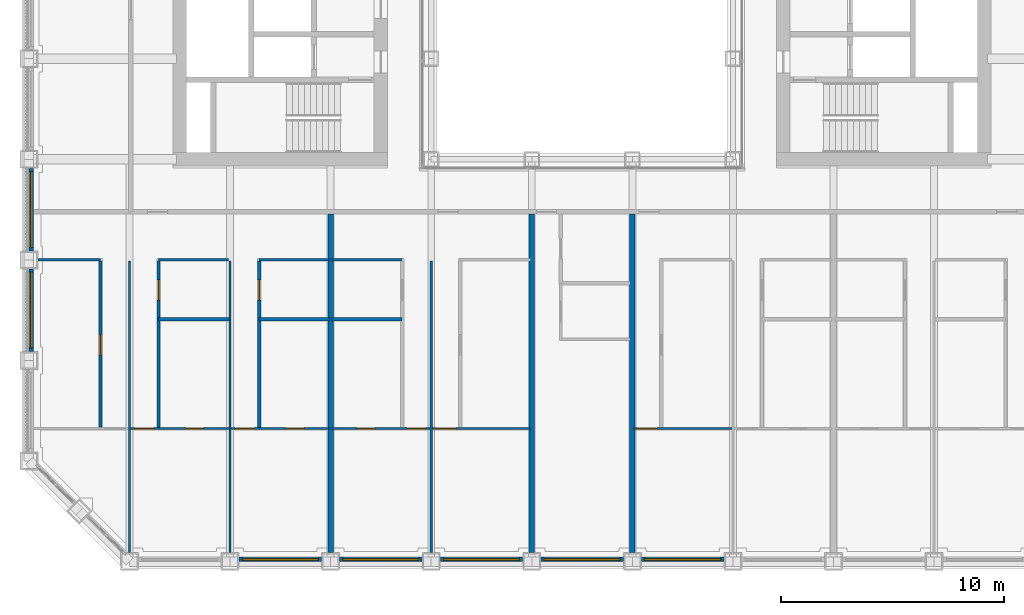
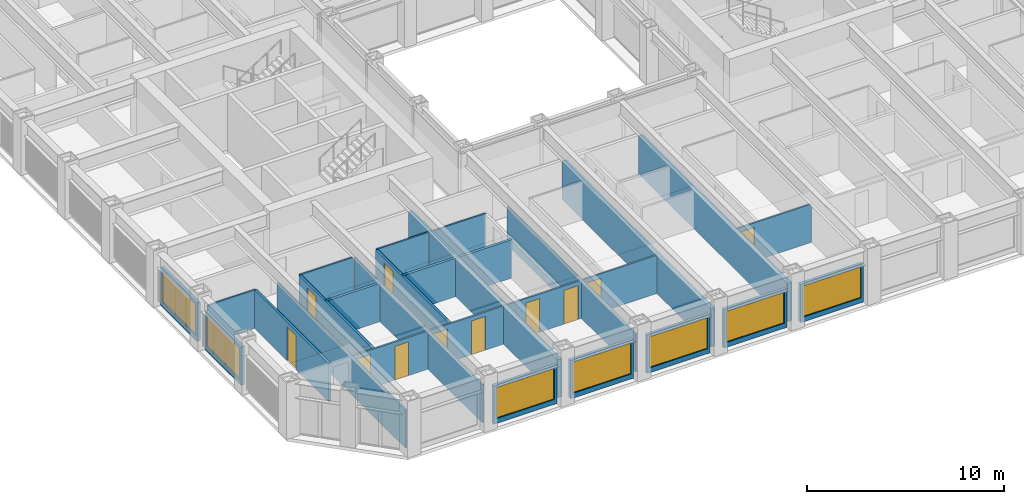
# One storey, part 9 of 20: 28 walls, 11 doors, 7 windows, 18 openings.
"""IFC4 building model written with IfcOpenShell, lengths in metres."""

from ifc_helpers import new_model, si_unit, direction, frame, frame_2d, origin, place, context, subcontext, project, spatial, rectangle, extrude, material, layer, layer_set, type_object, element, fill, save


model = new_model("IFC4")

# Units and contexts
model_context = context("Model", 3, precision=1e-05, world=origin(), true_north=direction((0.0, 1.0)))
body_context = subcontext(model_context, "Body", "Model", "MODEL_VIEW")
ifc_project = project(units=[si_unit("LENGTHUNIT", "METRE"), si_unit("AREAUNIT", "SQUARE_METRE"), si_unit("VOLUMEUNIT", "CUBIC_METRE"), si_unit("PLANEANGLEUNIT", "RADIAN"), si_unit("MASSUNIT", "GRAM", prefix="KILO")], contexts=[model_context])

# Site, building, storey
site_placement = place(None, origin())
site = spatial("IfcSite", under=ifc_project, at=site_placement, CompositionType="ELEMENT")
building_placement = place(site_placement, origin())
building = spatial("IfcBuilding", under=site, at=building_placement, Name="Msasa Ring Tower", CompositionType="ELEMENT")
storey_placement = place(building_placement, frame((0.0, 0.0, 61.5)))
storey = spatial("IfcBuildingStorey", under=building, at=storey_placement, Name="L15", CompositionType="ELEMENT", Elevation=61.5)

# Wall, opening, window
ifc_material_1 = material(Name="Terracotta rainscreen on blockwork", Category="masonry")
ifc_layer_1 = layer(ifc_material_1, 0.199951171875)
ifc_layer_set_1 = layer_set([ifc_layer_1], Name="FW1 TERRACOTTA-LINED INFILL BAY WALL 200")
wall_type_1 = type_object("IfcWallType", Name="FW1 TERRACOTTA-LINED INFILL BAY WALL 200", PredefinedType="SOLIDWALL", material=ifc_layer_set_1)
wall_1_placement = place(storey_placement, frame((-15.344970703125, -24.64990234375, 0.0), z_axis=(0.0, 0.0, 1.0), x_axis=(1.0, 0.0, 0.0)))
wall_1 = element("IfcWall", 1, at=wall_1_placement, inside=storey, type_object=wall_type_1, Name="Infill bay wall S L15 01", PredefinedType="SOLIDWALL", context=body_context, shape_type="SweptSolid", body=[
    extrude(rectangle(XDim=3.68994140625, YDim=0.199951171875, at=frame_2d((1.844970703125, 0.0))), origin(), (0.0, 0.0, 1.0), 2.37890625),
])
opening_1_placement = place(wall_1_placement, frame((0.14501953125, 0.0, 0.300048828125)))
opening_1 = element("IfcOpeningElement", 2, at=opening_1_placement, cuts=wall_1, Name="Opening WN1", PredefinedType="OPENING", context=body_context, shape_type="SweptSolid", body=[
    extrude(rectangle(XDim=3.39990234375, YDim=1.928955078125, at=frame_2d((1.699951171875, 0.96435546875))), frame((0.0, 0.10986328125, 0.0), z_axis=(0.0, -1.0, 0.0), x_axis=(1.0, 0.0, 0.0)), (0.0, 0.0, 1.0), 0.219970703125),
])
ifc_material_2 = material(Name="Aluminium frame with clear glass", Category="aluminium")
window_type = type_object("IfcWindowType", Name="WN1 RESIDENCE WINDOW 3400x1929", PartitioningType="SINGLE_PANEL", PredefinedType="WINDOW", material=ifc_material_2)
window_1_placement = place(opening_1_placement, origin())
window_1 = element("IfcWindow", 3, at=window_1_placement, inside=storey, type_object=window_type, Name="Window S L15 01", OverallHeight=1.928955078125, OverallWidth=3.39990234375, PartitioningType="SINGLE_PANEL", PredefinedType="WINDOW", context=body_context, shape_type="SweptSolid", body=[
    extrude(rectangle(XDim=3.39990234375, YDim=1.928955078125, at=frame_2d((1.699951171875, 0.96435546875))), frame((0.0, 0.030029296875, 0.0), z_axis=(0.0, -1.0, 0.0), x_axis=(1.0, 0.0, 0.0)), (0.0, 0.0, 1.0), 0.06005859375),
])
fill(opening_1, window_1)

wall_2_placement = place(storey_placement, frame((-10.844970703125, -24.64990234375, 0.0), z_axis=(0.0, 0.0, 1.0), x_axis=(1.0, 0.0, 0.0)))
wall_2 = element("IfcWall", 4, at=wall_2_placement, inside=storey, type_object=wall_type_1, Name="Infill bay wall S L15 02", PredefinedType="SOLIDWALL", context=body_context, shape_type="SweptSolid", body=[
    extrude(rectangle(XDim=3.68994140625, YDim=0.199951171875, at=frame_2d((1.844970703125, 0.0))), origin(), (0.0, 0.0, 1.0), 2.37890625),
])
opening_2_placement = place(wall_2_placement, frame((0.14501953125, 0.0, 0.300048828125)))
opening_2 = element("IfcOpeningElement", 5, at=opening_2_placement, cuts=wall_2, Name="Opening WN1", PredefinedType="OPENING", context=body_context, shape_type="SweptSolid", body=[
    extrude(rectangle(XDim=3.39990234375, YDim=1.928955078125, at=frame_2d((1.699951171875, 0.96435546875))), frame((0.0, 0.10986328125, 0.0), z_axis=(0.0, -1.0, 0.0), x_axis=(1.0, 0.0, 0.0)), (0.0, 0.0, 1.0), 0.219970703125),
])
window_2_placement = place(opening_2_placement, origin())
window_2 = element("IfcWindow", 6, at=window_2_placement, inside=storey, type_object=window_type, Name="Window S L15 02", OverallHeight=1.928955078125, OverallWidth=3.39990234375, PartitioningType="SINGLE_PANEL", PredefinedType="WINDOW", context=body_context, shape_type="SweptSolid", body=[
    extrude(rectangle(XDim=3.39990234375, YDim=1.928955078125, at=frame_2d((1.699951171875, 0.96435546875))), frame((0.0, 0.030029296875, 0.0), z_axis=(0.0, -1.0, 0.0), x_axis=(1.0, 0.0, 0.0)), (0.0, 0.0, 1.0), 0.06005859375),
])
fill(opening_2, window_2)

wall_3_placement = place(storey_placement, frame((-6.344970703125, -24.64990234375, 0.0), z_axis=(0.0, 0.0, 1.0), x_axis=(1.0, 0.0, 0.0)))
wall_3 = element("IfcWall", 7, at=wall_3_placement, inside=storey, type_object=wall_type_1, Name="Infill bay wall S L15 03", PredefinedType="SOLIDWALL", context=body_context, shape_type="SweptSolid", body=[
    extrude(rectangle(XDim=3.68994140625, YDim=0.199951171875, at=frame_2d((1.844970703125, 0.0))), origin(), (0.0, 0.0, 1.0), 2.37890625),
])
opening_3_placement = place(wall_3_placement, frame((0.14501953125, 0.0, 0.300048828125)))
opening_3 = element("IfcOpeningElement", 8, at=opening_3_placement, cuts=wall_3, Name="Opening WN1", PredefinedType="OPENING", context=body_context, shape_type="SweptSolid", body=[
    extrude(rectangle(XDim=3.39990234375, YDim=1.928955078125, at=frame_2d((1.699951171875, 0.96435546875))), frame((0.0, 0.10986328125, 0.0), z_axis=(0.0, -1.0, 0.0), x_axis=(1.0, 0.0, 0.0)), (0.0, 0.0, 1.0), 0.219970703125),
])
window_3_placement = place(opening_3_placement, origin())
window_3 = element("IfcWindow", 9, at=window_3_placement, inside=storey, type_object=window_type, Name="Window S L15 03", OverallHeight=1.928955078125, OverallWidth=3.39990234375, PartitioningType="SINGLE_PANEL", PredefinedType="WINDOW", context=body_context, shape_type="SweptSolid", body=[
    extrude(rectangle(XDim=3.39990234375, YDim=1.928955078125, at=frame_2d((1.699951171875, 0.96435546875))), frame((0.0, 0.030029296875, 0.0), z_axis=(0.0, -1.0, 0.0), x_axis=(1.0, 0.0, 0.0)), (0.0, 0.0, 1.0), 0.06005859375),
])
fill(opening_3, window_3)

wall_4_placement = place(storey_placement, frame((-1.844970703125, -24.64990234375, 0.0), z_axis=(0.0, 0.0, 1.0), x_axis=(1.0, 0.0, 0.0)))
wall_4 = element("IfcWall", 10, at=wall_4_placement, inside=storey, type_object=wall_type_1, Name="Infill bay wall S L15 04", PredefinedType="SOLIDWALL", context=body_context, shape_type="SweptSolid", body=[
    extrude(rectangle(XDim=3.68994140625, YDim=0.199951171875, at=frame_2d((1.844970703125, 0.0))), origin(), (0.0, 0.0, 1.0), 2.37890625),
])
opening_4_placement = place(wall_4_placement, frame((0.14501953125, 0.0, 0.300048828125)))
opening_4 = element("IfcOpeningElement", 11, at=opening_4_placement, cuts=wall_4, Name="Opening WN1", PredefinedType="OPENING", context=body_context, shape_type="SweptSolid", body=[
    extrude(rectangle(XDim=3.39990234375, YDim=1.928955078125, at=frame_2d((1.699951171875, 0.96435546875))), frame((0.0, 0.10986328125, 0.0), z_axis=(0.0, -1.0, 0.0), x_axis=(1.0, 0.0, 0.0)), (0.0, 0.0, 1.0), 0.219970703125),
])
window_4_placement = place(opening_4_placement, origin())
window_4 = element("IfcWindow", 12, at=window_4_placement, inside=storey, type_object=window_type, Name="Window S L15 04", OverallHeight=1.928955078125, OverallWidth=3.39990234375, PartitioningType="SINGLE_PANEL", PredefinedType="WINDOW", context=body_context, shape_type="SweptSolid", body=[
    extrude(rectangle(XDim=3.39990234375, YDim=1.928955078125, at=frame_2d((1.699951171875, 0.96435546875))), frame((0.0, 0.030029296875, 0.0), z_axis=(0.0, -1.0, 0.0), x_axis=(1.0, 0.0, 0.0)), (0.0, 0.0, 1.0), 0.06005859375),
])
fill(opening_4, window_4)

wall_5_placement = place(storey_placement, frame((2.655029296875, -24.64990234375, 0.0), z_axis=(0.0, 0.0, 1.0), x_axis=(1.0, 0.0, 0.0)))
wall_5 = element("IfcWall", 13, at=wall_5_placement, inside=storey, type_object=wall_type_1, Name="Infill bay wall S L15 05", PredefinedType="SOLIDWALL", context=body_context, shape_type="SweptSolid", body=[
    extrude(rectangle(XDim=3.68994140625, YDim=0.199951171875, at=frame_2d((1.844970703125, 0.0))), origin(), (0.0, 0.0, 1.0), 2.37890625),
])
opening_5_placement = place(wall_5_placement, frame((0.14501953125, 0.0, 0.300048828125)))
opening_5 = element("IfcOpeningElement", 14, at=opening_5_placement, cuts=wall_5, Name="Opening WN1", PredefinedType="OPENING", context=body_context, shape_type="SweptSolid", body=[
    extrude(rectangle(XDim=3.39990234375, YDim=1.928955078125, at=frame_2d((1.699951171875, 0.96435546875))), frame((0.0, 0.10986328125, 0.0), z_axis=(0.0, -1.0, 0.0), x_axis=(1.0, 0.0, 0.0)), (0.0, 0.0, 1.0), 0.219970703125),
])
window_5_placement = place(opening_5_placement, origin())
window_5 = element("IfcWindow", 15, at=window_5_placement, inside=storey, type_object=window_type, Name="Window S L15 05", OverallHeight=1.928955078125, OverallWidth=3.39990234375, PartitioningType="SINGLE_PANEL", PredefinedType="WINDOW", context=body_context, shape_type="SweptSolid", body=[
    extrude(rectangle(XDim=3.39990234375, YDim=1.928955078125, at=frame_2d((1.699951171875, 0.96435546875))), frame((0.0, 0.030029296875, 0.0), z_axis=(0.0, -1.0, 0.0), x_axis=(1.0, 0.0, 0.0)), (0.0, 0.0, 1.0), 0.06005859375),
])
fill(opening_5, window_5)

wall_6_placement = place(storey_placement, frame((-24.64990234375, -15.344970703125, 0.0), z_axis=(0.0, 0.0, 1.0), x_axis=(0.0, 1.0, 0.0)))
wall_6 = element("IfcWall", 16, at=wall_6_placement, inside=storey, type_object=wall_type_1, Name="Infill bay wall W L15 34", PredefinedType="SOLIDWALL", context=body_context, shape_type="SweptSolid", body=[
    extrude(rectangle(XDim=3.68994140625, YDim=0.199951171875, at=frame_2d((1.844970703125, 0.0))), origin(), (0.0, 0.0, 1.0), 2.37890625),
])
opening_6_placement = place(wall_6_placement, frame((0.14501953125, 0.0, 0.300048828125)))
opening_6 = element("IfcOpeningElement", 17, at=opening_6_placement, cuts=wall_6, Name="Opening WN1", PredefinedType="OPENING", context=body_context, shape_type="SweptSolid", body=[
    extrude(rectangle(XDim=3.39990234375, YDim=1.928955078125, at=frame_2d((1.699951171875, 0.96435546875))), frame((0.0, 0.10986328125, 0.0), z_axis=(0.0, -1.0, 0.0), x_axis=(1.0, 0.0, 0.0)), (0.0, 0.0, 1.0), 0.219970703125),
])
window_6_placement = place(opening_6_placement, origin())
window_6 = element("IfcWindow", 18, at=window_6_placement, inside=storey, type_object=window_type, Name="Window W L15 34", OverallHeight=1.928955078125, OverallWidth=3.39990234375, PartitioningType="SINGLE_PANEL", PredefinedType="WINDOW", context=body_context, shape_type="SweptSolid", body=[
    extrude(rectangle(XDim=3.39990234375, YDim=1.928955078125, at=frame_2d((1.699951171875, 0.96435546875))), frame((0.0, 0.030029296875, 0.0), z_axis=(0.0, -1.0, 0.0), x_axis=(1.0, 0.0, 0.0)), (0.0, 0.0, 1.0), 0.06005859375),
])
fill(opening_6, window_6)

wall_7_placement = place(storey_placement, frame((-24.64990234375, -10.844970703125, 0.0), z_axis=(0.0, 0.0, 1.0), x_axis=(0.0, 1.0, 0.0)))
wall_7 = element("IfcWall", 19, at=wall_7_placement, inside=storey, type_object=wall_type_1, Name="Infill bay wall W L15 35", PredefinedType="SOLIDWALL", context=body_context, shape_type="SweptSolid", body=[
    extrude(rectangle(XDim=3.68994140625, YDim=0.199951171875, at=frame_2d((1.844970703125, 0.0))), origin(), (0.0, 0.0, 1.0), 2.37890625),
])
opening_7_placement = place(wall_7_placement, frame((0.14501953125, 0.0, 0.300048828125)))
opening_7 = element("IfcOpeningElement", 20, at=opening_7_placement, cuts=wall_7, Name="Opening WN1", PredefinedType="OPENING", context=body_context, shape_type="SweptSolid", body=[
    extrude(rectangle(XDim=3.39990234375, YDim=1.928955078125, at=frame_2d((1.699951171875, 0.96435546875))), frame((0.0, 0.10986328125, 0.0), z_axis=(0.0, -1.0, 0.0), x_axis=(1.0, 0.0, 0.0)), (0.0, 0.0, 1.0), 0.219970703125),
])
window_7_placement = place(opening_7_placement, origin())
window_7 = element("IfcWindow", 21, at=window_7_placement, inside=storey, type_object=window_type, Name="Window W L15 35", OverallHeight=1.928955078125, OverallWidth=3.39990234375, PartitioningType="SINGLE_PANEL", PredefinedType="WINDOW", context=body_context, shape_type="SweptSolid", body=[
    extrude(rectangle(XDim=3.39990234375, YDim=1.928955078125, at=frame_2d((1.699951171875, 0.96435546875))), frame((0.0, 0.030029296875, 0.0), z_axis=(0.0, -1.0, 0.0), x_axis=(1.0, 0.0, 0.0)), (0.0, 0.0, 1.0), 0.06005859375),
])
fill(opening_7, window_7)

# Walls
ifc_material_3 = material(Name="Gypsum board on steel studs", Category="steel")
ifc_layer_2 = layer(ifc_material_3, 0.10009765625)
ifc_layer_set_2 = layer_set([ifc_layer_2], Name="PT2 STUD PARTITION 100")
wall_type_2 = type_object("IfcWallType", Name="PT2 STUD PARTITION 100", PredefinedType="PARTITIONING", material=ifc_layer_set_2)
wall_8_placement = place(storey_placement, frame((-24.35009765625, -11.25, 0.0), z_axis=(0.0, 0.0, 1.0), x_axis=(1.0, 0.0, 0.0)))
element("IfcWall", 22, at=wall_8_placement, inside=storey, type_object=wall_type_2, Name="Partition L15-US00HY0", PredefinedType="PARTITIONING", context=body_context, shape_type="SweptSolid", body=[
    extrude(rectangle(XDim=2.800048828125, YDim=0.10009765625, at=frame_2d((1.39990234375, 0.0))), origin(), (0.0, 0.0, 1.0), 2.373291015625),
])
wall_9_placement = place(storey_placement, frame((-20.25, -24.35009765625, 0.0), z_axis=(0.0, 0.0, 1.0), x_axis=(0.0, 1.0, 0.0)))
element("IfcWall", 23, at=wall_9_placement, inside=storey, type_object=wall_type_2, Name="Partition L15-US00P1", PredefinedType="PARTITIONING", context=body_context, shape_type="SweptSolid", body=[
    extrude(rectangle(XDim=13.050048828125, YDim=0.10009765625, at=frame_2d((6.52490234375, 0.0))), origin(), (0.0, 0.0, 1.0), 2.373291015625),
])
wall_10_placement = place(storey_placement, frame((-18.949951171875, -11.25, 0.0), z_axis=(0.0, 0.0, 1.0), x_axis=(1.0, 0.0, 0.0)))
element("IfcWall", 24, at=wall_10_placement, inside=storey, type_object=wall_type_2, Name="Partition L15-US00HY1", PredefinedType="PARTITIONING", context=body_context, shape_type="SweptSolid", body=[
    extrude(rectangle(XDim=3.139892578125, YDim=0.10009765625, at=frame_2d((1.56982421875, 0.0))), origin(), (0.0, 0.0, 1.0), 2.373291015625),
])

# Wall, openings, doors
wall_11_placement = place(storey_placement, frame((-20.199951171875, -18.800048828125, 0.0), z_axis=(0.0, 0.0, 1.0), x_axis=(1.0, 0.0, 0.0)))
wall_11 = element("IfcWall", 25, at=wall_11_placement, inside=storey, type_object=wall_type_2, Name="Partition L15-US00SY1", PredefinedType="PARTITIONING", context=body_context, shape_type="SweptSolid", body=[
    extrude(rectangle(XDim=4.39990234375, YDim=0.10009765625, at=frame_2d((2.199951171875, 0.0))), origin(), (0.0, 0.0, 1.0), 2.373291015625),
])
opening_8_placement = place(wall_11_placement, frame((0.175048828125, 0.0, 0.0)))
opening_8 = element("IfcOpeningElement", 26, at=opening_8_placement, cuts=wall_11, Name="Opening RD-065", PredefinedType="OPENING", context=body_context, shape_type="SweptSolid", body=[
    extrude(rectangle(XDim=0.85009765625, YDim=2.10009765625, at=frame_2d((0.425048828125, 1.050048828125))), frame((0.0, 0.06005859375, 0.0), z_axis=(0.0, -1.0, 0.0), x_axis=(1.0, 0.0, 0.0)), (0.0, 0.0, 1.0), 0.1201171875),
])
opening_9_placement = place(wall_11_placement, frame((2.4599609375, 0.0, 0.0)))
opening_9 = element("IfcOpeningElement", 27, at=opening_9_placement, cuts=wall_11, Name="Opening RD-066", PredefinedType="OPENING", context=body_context, shape_type="SweptSolid", body=[
    extrude(rectangle(XDim=0.800048828125, YDim=2.10009765625, at=frame_2d((0.39990234375, 1.050048828125))), frame((0.0, 0.06005859375, 0.0), z_axis=(0.0, -1.0, 0.0), x_axis=(1.0, 0.0, 0.0)), (0.0, 0.0, 1.0), 0.1201171875),
])
ifc_material_4 = material(Name="Timber door leaf in a steel frame", Category="steel")
door_type_1 = type_object("IfcDoorType", Name="D14 BEDROOM DOOR 850x2100", OperationType="SINGLE_SWING_LEFT", PredefinedType="DOOR", material=ifc_material_4)
door_1_placement = place(opening_8_placement, origin())
door_1 = element("IfcDoor", 28, at=door_1_placement, inside=storey, type_object=door_type_1, Name="Door L15-US00R1", OperationType="SINGLE_SWING_LEFT", OverallHeight=2.10009765625, OverallWidth=0.85009765625, PredefinedType="DOOR", context=body_context, shape_type="SweptSolid", body=[
    extrude(rectangle(XDim=0.85009765625, YDim=2.10009765625, at=frame_2d((0.425048828125, 1.050048828125))), frame((0.0, 0.02490234375, 0.0), z_axis=(0.0, -1.0, 0.0), x_axis=(1.0, 0.0, 0.0)), (0.0, 0.0, 1.0), 0.050048828125),
])
fill(opening_8, door_1)
ifc_material_5 = material(Name="Timber door leaf in a steel frame", Category="steel")
door_type_2 = type_object("IfcDoorType", Name="D60 DRESSING ROOM DOOR 800x2100", OperationType="SINGLE_SWING_LEFT", PredefinedType="DOOR", material=ifc_material_5)
door_2_placement = place(opening_9_placement, origin())
door_2 = element("IfcDoor", 29, at=door_2_placement, inside=storey, type_object=door_type_2, Name="Door L15-US00W1", OperationType="SINGLE_SWING_RIGHT", OverallHeight=2.10009765625, OverallWidth=0.800048828125, PredefinedType="DOOR", context=body_context, shape_type="SweptSolid", body=[
    extrude(rectangle(XDim=0.800048828125, YDim=2.10009765625, at=frame_2d((0.39990234375, 1.050048828125))), frame((0.0, 0.02490234375, 0.0), z_axis=(0.0, -1.0, 0.0), x_axis=(1.0, 0.0, 0.0)), (0.0, 0.0, 1.0), 0.050048828125),
])
fill(opening_9, door_2)

# Walls
wall_12_placement = place(storey_placement, frame((-15.75, -24.35009765625, 0.0), z_axis=(0.0, 0.0, 1.0), x_axis=(0.0, 1.0, 0.0)))
element("IfcWall", 30, at=wall_12_placement, inside=storey, type_object=wall_type_2, Name="Partition L15-US00P2", PredefinedType="PARTITIONING", context=body_context, shape_type="SweptSolid", body=[
    extrude(rectangle(XDim=13.050048828125, YDim=0.10009765625, at=frame_2d((6.52490234375, 0.0))), origin(), (0.0, 0.0, 1.0), 2.373291015625),
])
wall_13_placement = place(storey_placement, frame((-14.449951171875, -11.25, 0.0), z_axis=(0.0, 0.0, 1.0), x_axis=(1.0, 0.0, 0.0)))
element("IfcWall", 31, at=wall_13_placement, inside=storey, type_object=wall_type_2, Name="Partition L15-US00HY2", PredefinedType="PARTITIONING", context=body_context, shape_type="SweptSolid", body=[
    extrude(rectangle(XDim=3.139892578125, YDim=0.10009765625, at=frame_2d((1.56982421875, 0.0))), origin(), (0.0, 0.0, 1.0), 2.373291015625),
])

# Wall, openings, doors
wall_14_placement = place(storey_placement, frame((-15.699951171875, -18.800048828125, 0.0), z_axis=(0.0, 0.0, 1.0), x_axis=(1.0, 0.0, 0.0)))
wall_14 = element("IfcWall", 32, at=wall_14_placement, inside=storey, type_object=wall_type_2, Name="Partition L15-US00SY2", PredefinedType="PARTITIONING", context=body_context, shape_type="SweptSolid", body=[
    extrude(rectangle(XDim=4.389892578125, YDim=0.10009765625, at=frame_2d((2.19482421875, 0.0))), origin(), (0.0, 0.0, 1.0), 2.373291015625),
])
opening_10_placement = place(wall_14_placement, frame((0.175048828125, 0.0, 0.0)))
opening_10 = element("IfcOpeningElement", 33, at=opening_10_placement, cuts=wall_14, Name="Opening RD-067", PredefinedType="OPENING", context=body_context, shape_type="SweptSolid", body=[
    extrude(rectangle(XDim=0.85009765625, YDim=2.10009765625, at=frame_2d((0.425048828125, 1.050048828125))), frame((0.0, 0.06005859375, 0.0), z_axis=(0.0, -1.0, 0.0), x_axis=(1.0, 0.0, 0.0)), (0.0, 0.0, 1.0), 0.1201171875),
])
opening_11_placement = place(wall_14_placement, frame((2.4599609375, 0.0, 0.0)))
opening_11 = element("IfcOpeningElement", 34, at=opening_11_placement, cuts=wall_14, Name="Opening RD-068", PredefinedType="OPENING", context=body_context, shape_type="SweptSolid", body=[
    extrude(rectangle(XDim=0.800048828125, YDim=2.10009765625, at=frame_2d((0.39990234375, 1.050048828125))), frame((0.0, 0.06005859375, 0.0), z_axis=(0.0, -1.0, 0.0), x_axis=(1.0, 0.0, 0.0)), (0.0, 0.0, 1.0), 0.1201171875),
])
door_3_placement = place(opening_10_placement, origin())
door_3 = element("IfcDoor", 35, at=door_3_placement, inside=storey, type_object=door_type_1, Name="Door L15-US00R2", OperationType="SINGLE_SWING_LEFT", OverallHeight=2.10009765625, OverallWidth=0.85009765625, PredefinedType="DOOR", context=body_context, shape_type="SweptSolid", body=[
    extrude(rectangle(XDim=0.85009765625, YDim=2.10009765625, at=frame_2d((0.425048828125, 1.050048828125))), frame((0.0, 0.02490234375, 0.0), z_axis=(0.0, -1.0, 0.0), x_axis=(1.0, 0.0, 0.0)), (0.0, 0.0, 1.0), 0.050048828125),
])
fill(opening_10, door_3)
door_4_placement = place(opening_11_placement, origin())
door_4 = element("IfcDoor", 36, at=door_4_placement, inside=storey, type_object=door_type_2, Name="Door L15-US00W2", OperationType="SINGLE_SWING_RIGHT", OverallHeight=2.10009765625, OverallWidth=0.800048828125, PredefinedType="DOOR", context=body_context, shape_type="SweptSolid", body=[
    extrude(rectangle(XDim=0.800048828125, YDim=2.10009765625, at=frame_2d((0.39990234375, 1.050048828125))), frame((0.0, 0.02490234375, 0.0), z_axis=(0.0, -1.0, 0.0), x_axis=(1.0, 0.0, 0.0)), (0.0, 0.0, 1.0), 0.050048828125),
])
fill(opening_11, door_4)

# Wall, opening, door
wall_15_placement = place(storey_placement, frame((-6.699951171875, -18.800048828125, 0.0), z_axis=(0.0, 0.0, 1.0), x_axis=(1.0, 0.0, 0.0)))
wall_15 = element("IfcWall", 37, at=wall_15_placement, inside=storey, type_object=wall_type_2, Name="Partition L15-US01SY0", PredefinedType="PARTITIONING", context=body_context, shape_type="SweptSolid", body=[
    extrude(rectangle(XDim=4.389892578125, YDim=0.10009765625, at=frame_2d((2.19482421875, 0.0))), origin(), (0.0, 0.0, 1.0), 2.373291015625),
])
opening_12_placement = place(wall_15_placement, frame((0.14990234375, 0.0, 0.0)))
opening_12 = element("IfcOpeningElement", 38, at=opening_12_placement, cuts=wall_15, Name="Opening RD-071", PredefinedType="OPENING", context=body_context, shape_type="SweptSolid", body=[
    extrude(rectangle(XDim=0.89990234375, YDim=2.10009765625, at=frame_2d((0.449951171875, 1.050048828125))), frame((0.0, 0.06005859375, 0.0), z_axis=(0.0, -1.0, 0.0), x_axis=(1.0, 0.0, 0.0)), (0.0, 0.0, 1.0), 0.1201171875),
])
ifc_material_6 = material(Name="Timber door leaf in a steel frame", Category="steel")
door_type_3 = type_object("IfcDoorType", Name="D22 INTERNAL HALL DOOR 900x2100", OperationType="SINGLE_SWING_LEFT", PredefinedType="DOOR", material=ifc_material_6)
door_5_placement = place(opening_12_placement, origin())
door_5 = element("IfcDoor", 39, at=door_5_placement, inside=storey, type_object=door_type_3, Name="Door L15-US01L", OperationType="SINGLE_SWING_LEFT", OverallHeight=2.10009765625, OverallWidth=0.89990234375, PredefinedType="DOOR", context=body_context, shape_type="SweptSolid", body=[
    extrude(rectangle(XDim=0.89990234375, YDim=2.10009765625, at=frame_2d((0.449951171875, 1.050048828125))), frame((0.0, 0.02490234375, 0.0), z_axis=(0.0, -1.0, 0.0), x_axis=(1.0, 0.0, 0.0)), (0.0, 0.0, 1.0), 0.050048828125),
])
fill(opening_12, door_5)

# Walls
wall_16_placement = place(storey_placement, frame((-6.75, -24.35009765625, 0.0), z_axis=(0.0, 0.0, 1.0), x_axis=(0.0, 1.0, 0.0)))
element("IfcWall", 40, at=wall_16_placement, inside=storey, type_object=wall_type_2, Name="Partition L15-US01P1", PredefinedType="PARTITIONING", context=body_context, shape_type="SweptSolid", body=[
    extrude(rectangle(XDim=13.050048828125, YDim=0.10009765625, at=frame_2d((6.52490234375, 0.0))), origin(), (0.0, 0.0, 1.0), 2.373291015625),
])
wall_17_placement = place(storey_placement, frame((-11.18994140625, -11.25, 0.0), z_axis=(0.0, 0.0, 1.0), x_axis=(1.0, 0.0, 0.0)))
element("IfcWall", 41, at=wall_17_placement, inside=storey, type_object=wall_type_2, Name="Partition L15-US01HY1", PredefinedType="PARTITIONING", context=body_context, shape_type="SweptSolid", body=[
    extrude(rectangle(XDim=3.139892578125, YDim=0.10009765625, at=frame_2d((1.56982421875, 0.0))), origin(), (0.0, 0.0, 1.0), 2.373291015625),
])

# Wall, openings, doors
wall_18_placement = place(storey_placement, frame((-11.18994140625, -18.800048828125, 0.0), z_axis=(0.0, 0.0, 1.0), x_axis=(1.0, 0.0, 0.0)))
wall_18 = element("IfcWall", 42, at=wall_18_placement, inside=storey, type_object=wall_type_2, Name="Partition L15-US01SY1", PredefinedType="PARTITIONING", context=body_context, shape_type="SweptSolid", body=[
    extrude(rectangle(XDim=4.389892578125, YDim=0.10009765625, at=frame_2d((2.19482421875, 0.0))), origin(), (0.0, 0.0, 1.0), 2.373291015625),
])
opening_13_placement = place(wall_18_placement, frame((3.364990234375, 0.0, 0.0)))
opening_13 = element("IfcOpeningElement", 43, at=opening_13_placement, cuts=wall_18, Name="Opening RD-070", PredefinedType="OPENING", context=body_context, shape_type="SweptSolid", body=[
    extrude(rectangle(XDim=0.85009765625, YDim=2.10009765625, at=frame_2d((0.425048828125, 1.050048828125))), frame((0.0, 0.06005859375, 0.0), z_axis=(0.0, -1.0, 0.0), x_axis=(1.0, 0.0, 0.0)), (0.0, 0.0, 1.0), 0.1201171875),
])
opening_14_placement = place(wall_18_placement, frame((1.1298828125, 0.0, 0.0)))
opening_14 = element("IfcOpeningElement", 44, at=opening_14_placement, cuts=wall_18, Name="Opening RD-069", PredefinedType="OPENING", context=body_context, shape_type="SweptSolid", body=[
    extrude(rectangle(XDim=0.800048828125, YDim=2.10009765625, at=frame_2d((0.39990234375, 1.050048828125))), frame((0.0, 0.06005859375, 0.0), z_axis=(0.0, -1.0, 0.0), x_axis=(1.0, 0.0, 0.0)), (0.0, 0.0, 1.0), 0.1201171875),
])
door_6_placement = place(opening_13_placement, origin())
door_6 = element("IfcDoor", 45, at=door_6_placement, inside=storey, type_object=door_type_1, Name="Door L15-US01R1", OperationType="SINGLE_SWING_RIGHT", OverallHeight=2.10009765625, OverallWidth=0.85009765625, PredefinedType="DOOR", context=body_context, shape_type="SweptSolid", body=[
    extrude(rectangle(XDim=0.85009765625, YDim=2.10009765625, at=frame_2d((0.425048828125, 1.050048828125))), frame((0.0, 0.02490234375, 0.0), z_axis=(0.0, -1.0, 0.0), x_axis=(1.0, 0.0, 0.0)), (0.0, 0.0, 1.0), 0.050048828125),
])
fill(opening_13, door_6)
door_7_placement = place(opening_14_placement, origin())
door_7 = element("IfcDoor", 46, at=door_7_placement, inside=storey, type_object=door_type_2, Name="Door L15-US01W1", OperationType="SINGLE_SWING_LEFT", OverallHeight=2.10009765625, OverallWidth=0.800048828125, PredefinedType="DOOR", context=body_context, shape_type="SweptSolid", body=[
    extrude(rectangle(XDim=0.800048828125, YDim=2.10009765625, at=frame_2d((0.39990234375, 1.050048828125))), frame((0.0, 0.02490234375, 0.0), z_axis=(0.0, -1.0, 0.0), x_axis=(1.0, 0.0, 0.0)), (0.0, 0.0, 1.0), 0.050048828125),
])
fill(opening_14, door_7)

# Wall, opening, door
wall_19_placement = place(storey_placement, frame((2.31005859375, -18.800048828125, 0.0), z_axis=(0.0, 0.0, 1.0), x_axis=(1.0, 0.0, 0.0)))
wall_19 = element("IfcWall", 47, at=wall_19_placement, inside=storey, type_object=wall_type_2, Name="Partition L15-US03SY0", PredefinedType="PARTITIONING", context=body_context, shape_type="SweptSolid", body=[
    extrude(rectangle(XDim=4.389892578125, YDim=0.10009765625, at=frame_2d((2.19482421875, 0.0))), origin(), (0.0, 0.0, 1.0), 2.373291015625),
])
opening_15_placement = place(wall_19_placement, frame((0.139892578125, 0.0, 0.0)))
opening_15 = element("IfcOpeningElement", 48, at=opening_15_placement, cuts=wall_19, Name="Opening RD-072", PredefinedType="OPENING", context=body_context, shape_type="SweptSolid", body=[
    extrude(rectangle(XDim=0.89990234375, YDim=2.10009765625, at=frame_2d((0.449951171875, 1.050048828125))), frame((0.0, 0.06005859375, 0.0), z_axis=(0.0, -1.0, 0.0), x_axis=(1.0, 0.0, 0.0)), (0.0, 0.0, 1.0), 0.1201171875),
])
door_8_placement = place(opening_15_placement, origin())
door_8 = element("IfcDoor", 49, at=door_8_placement, inside=storey, type_object=door_type_3, Name="Door L15-US03L", OperationType="SINGLE_SWING_LEFT", OverallHeight=2.10009765625, OverallWidth=0.89990234375, PredefinedType="DOOR", context=body_context, shape_type="SweptSolid", body=[
    extrude(rectangle(XDim=0.89990234375, YDim=2.10009765625, at=frame_2d((0.449951171875, 1.050048828125))), frame((0.0, 0.02490234375, 0.0), z_axis=(0.0, -1.0, 0.0), x_axis=(1.0, 0.0, 0.0)), (0.0, 0.0, 1.0), 0.050048828125),
])
fill(opening_15, door_8)

# Walls
ifc_material_7 = material(Name="Dense concrete blockwork, plastered both faces", Category="masonry")
ifc_layer_3 = layer(ifc_material_7, 0.25)
ifc_layer_set_3 = layer_set([ifc_layer_3], Name="PT3 APARTMENT SEPARATING WALL 250")
wall_type_3 = type_object("IfcWallType", Name="PT3 APARTMENT SEPARATING WALL 250", PredefinedType="PARTITIONING", material=ifc_layer_set_3)
for number, where, z_axis, x_axis, name in (
    (50, (-11.25, -24.35009765625, 0.0), (0.0, 0.0, 1.0), (0.0, 1.0, 0.0), "Party wall L15-PWS-11.25"),
    (51, (-2.25, -24.35009765625, 0.0), (0.0, 0.0, 1.0), (0.0, 1.0, 0.0), "Party wall L15-PWS-2.25"),
    (52, (2.25, -24.35009765625, 0.0), (0.0, 0.0, 1.0), (0.0, 1.0, 0.0), "Party wall L15-PWS+2.25"),
):
    element("IfcWall", number, at=place(storey_placement, frame(where, z_axis=z_axis, x_axis=x_axis)), inside=storey, type_object=wall_type_3, Name=name, PredefinedType="PARTITIONING", context=body_context, shape_type="SweptSolid", body=[
        extrude(rectangle(XDim=15.150146484375, YDim=0.25, at=frame_2d((7.5751953125, 0.0))), origin(), (0.0, 0.0, 1.0), 2.373291015625),
    ])

# Wall, opening, door
ifc_material_8 = material(Name="Moisture-resistant board on steel studs with a concealed cistern and pipe void, tiled", Category="steel")
ifc_layer_4 = layer(ifc_material_8, 0.14990234375)
ifc_layer_set_4 = layer_set([ifc_layer_4], Name="PT4 BATHROOM WET WALL 150")
wall_type_4 = type_object("IfcWallType", Name="PT4 BATHROOM WET WALL 150", PredefinedType="PARTITIONING", material=ifc_layer_set_4)
wall_20_placement = place(storey_placement, frame((-21.550048828125, -18.800048828125, 0.0), z_axis=(0.0, 0.0, 1.0), x_axis=(0.0, 1.0, 0.0)))
wall_20 = element("IfcWall", 53, at=wall_20_placement, inside=storey, type_object=wall_type_4, Name="Partition L15-US00SX0", PredefinedType="PARTITIONING", context=body_context, shape_type="SweptSolid", body=[
    extrude(rectangle(XDim=7.5, YDim=0.14990234375, at=frame_2d((3.75, 0.0))), origin(), (0.0, 0.0, 1.0), 2.373291015625),
])
opening_16_placement = place(wall_20_placement, frame((3.300048828125, 0.0, 0.0)))
opening_16 = element("IfcOpeningElement", 54, at=opening_16_placement, cuts=wall_20, Name="Opening RD-060", PredefinedType="OPENING", context=body_context, shape_type="SweptSolid", body=[
    extrude(rectangle(XDim=0.89990234375, YDim=2.10009765625, at=frame_2d((0.449951171875, 1.050048828125))), frame((0.0, 0.0849609375, 0.0), z_axis=(0.0, -1.0, 0.0), x_axis=(1.0, 0.0, 0.0)), (0.0, 0.0, 1.0), 0.169921875),
])
door_9_placement = place(opening_16_placement, origin())
door_9 = element("IfcDoor", 55, at=door_9_placement, inside=storey, type_object=door_type_3, Name="Door L15-US00K", OperationType="SINGLE_SWING_LEFT", OverallHeight=2.10009765625, OverallWidth=0.89990234375, PredefinedType="DOOR", context=body_context, shape_type="SweptSolid", body=[
    extrude(rectangle(XDim=0.89990234375, YDim=2.10009765625, at=frame_2d((0.449951171875, 1.050048828125))), frame((0.0, 0.02490234375, 0.0), z_axis=(0.0, -1.0, 0.0), x_axis=(1.0, 0.0, 0.0)), (0.0, 0.0, 1.0), 0.050048828125),
])
fill(opening_16, door_9)

wall_21_placement = place(storey_placement, frame((-18.949951171875, -18.800048828125, 0.0), z_axis=(0.0, 0.0, 1.0), x_axis=(0.0, 1.0, 0.0)))
wall_21 = element("IfcWall", 56, at=wall_21_placement, inside=storey, type_object=wall_type_4, Name="Partition L15-US00SX1", PredefinedType="PARTITIONING", context=body_context, shape_type="SweptSolid", body=[
    extrude(rectangle(XDim=7.5, YDim=0.14990234375, at=frame_2d((3.75, 0.0))), origin(), (0.0, 0.0, 1.0), 2.373291015625),
])
opening_17_placement = place(wall_21_placement, frame((5.75, 0.0, 0.0)))
opening_17 = element("IfcOpeningElement", 57, at=opening_17_placement, cuts=wall_21, Name="Opening RD-053", PredefinedType="OPENING", context=body_context, shape_type="SweptSolid", body=[
    extrude(rectangle(XDim=0.89990234375, YDim=2.10009765625, at=frame_2d((0.449951171875, 1.050048828125))), frame((0.0, 0.0849609375, 0.0), z_axis=(0.0, -1.0, 0.0), x_axis=(1.0, 0.0, 0.0)), (0.0, 0.0, 1.0), 0.169921875),
])
ifc_material_9 = material(Name="Timber door leaf in a steel frame", Category="steel")
door_type_4 = type_object("IfcDoorType", Name="D3 BATHROOM DOOR 900x2100", OperationType="SINGLE_SWING_LEFT", PredefinedType="DOOR", material=ifc_material_9)
door_10_placement = place(opening_17_placement, origin())
door_10 = element("IfcDoor", 58, at=door_10_placement, inside=storey, type_object=door_type_4, Name="Door L15-US00B1", OperationType="SINGLE_SWING_RIGHT", OverallHeight=2.10009765625, OverallWidth=0.89990234375, PredefinedType="DOOR", context=body_context, shape_type="SweptSolid", body=[
    extrude(rectangle(XDim=0.89990234375, YDim=2.10009765625, at=frame_2d((0.449951171875, 1.050048828125))), frame((0.0, 0.02490234375, 0.0), z_axis=(0.0, -1.0, 0.0), x_axis=(1.0, 0.0, 0.0)), (0.0, 0.0, 1.0), 0.050048828125),
])
fill(opening_17, door_10)

# Wall
wall_22_placement = place(storey_placement, frame((-18.949951171875, -13.89990234375, 0.0), z_axis=(0.0, 0.0, 1.0), x_axis=(1.0, 0.0, 0.0)))
element("IfcWall", 59, at=wall_22_placement, inside=storey, type_object=wall_type_4, Name="Partition L15-US00SB1", PredefinedType="PARTITIONING", context=body_context, shape_type="SweptSolid", body=[
    extrude(rectangle(XDim=3.14990234375, YDim=0.14990234375, at=frame_2d((1.574951171875, 0.0))), origin(), (0.0, 0.0, 1.0), 2.373291015625),
])

# Wall, opening, door
wall_23_placement = place(storey_placement, frame((-14.449951171875, -18.800048828125, 0.0), z_axis=(0.0, 0.0, 1.0), x_axis=(0.0, 1.0, 0.0)))
wall_23 = element("IfcWall", 60, at=wall_23_placement, inside=storey, type_object=wall_type_4, Name="Partition L15-US00SX2", PredefinedType="PARTITIONING", context=body_context, shape_type="SweptSolid", body=[
    extrude(rectangle(XDim=7.5, YDim=0.14990234375, at=frame_2d((3.75, 0.0))), origin(), (0.0, 0.0, 1.0), 2.373291015625),
])
opening_18_placement = place(wall_23_placement, frame((5.75, 0.0, 0.0)))
opening_18 = element("IfcOpeningElement", 61, at=opening_18_placement, cuts=wall_23, Name="Opening RD-054", PredefinedType="OPENING", context=body_context, shape_type="SweptSolid", body=[
    extrude(rectangle(XDim=0.89990234375, YDim=2.10009765625, at=frame_2d((0.449951171875, 1.050048828125))), frame((0.0, 0.0849609375, 0.0), z_axis=(0.0, -1.0, 0.0), x_axis=(1.0, 0.0, 0.0)), (0.0, 0.0, 1.0), 0.169921875),
])
door_11_placement = place(opening_18_placement, origin())
door_11 = element("IfcDoor", 62, at=door_11_placement, inside=storey, type_object=door_type_4, Name="Door L15-US00B2", OperationType="SINGLE_SWING_RIGHT", OverallHeight=2.10009765625, OverallWidth=0.89990234375, PredefinedType="DOOR", context=body_context, shape_type="SweptSolid", body=[
    extrude(rectangle(XDim=0.89990234375, YDim=2.10009765625, at=frame_2d((0.449951171875, 1.050048828125))), frame((0.0, 0.02490234375, 0.0), z_axis=(0.0, -1.0, 0.0), x_axis=(1.0, 0.0, 0.0)), (0.0, 0.0, 1.0), 0.050048828125),
])
fill(opening_18, door_11)

# Walls
for number, where, z_axis, x_axis, name in (
    (63, (-14.449951171875, -13.89990234375, 0.0), (0.0, 0.0, 1.0), (1.0, 0.0, 0.0), "Partition L15-US00SB2"),
    (64, (-11.18994140625, -13.89990234375, 0.0), (0.0, 0.0, 1.0), (1.0, 0.0, 0.0), "Partition L15-US01SB1"),
):
    element("IfcWall", number, at=place(storey_placement, frame(where, z_axis=z_axis, x_axis=x_axis)), inside=storey, type_object=wall_type_4, Name=name, PredefinedType="PARTITIONING", context=body_context, shape_type="SweptSolid", body=[
        extrude(rectangle(XDim=3.139892578125, YDim=0.14990234375, at=frame_2d((1.56982421875, 0.0))), origin(), (0.0, 0.0, 1.0), 2.373291015625),
    ])

save(model, "model.ifc")
